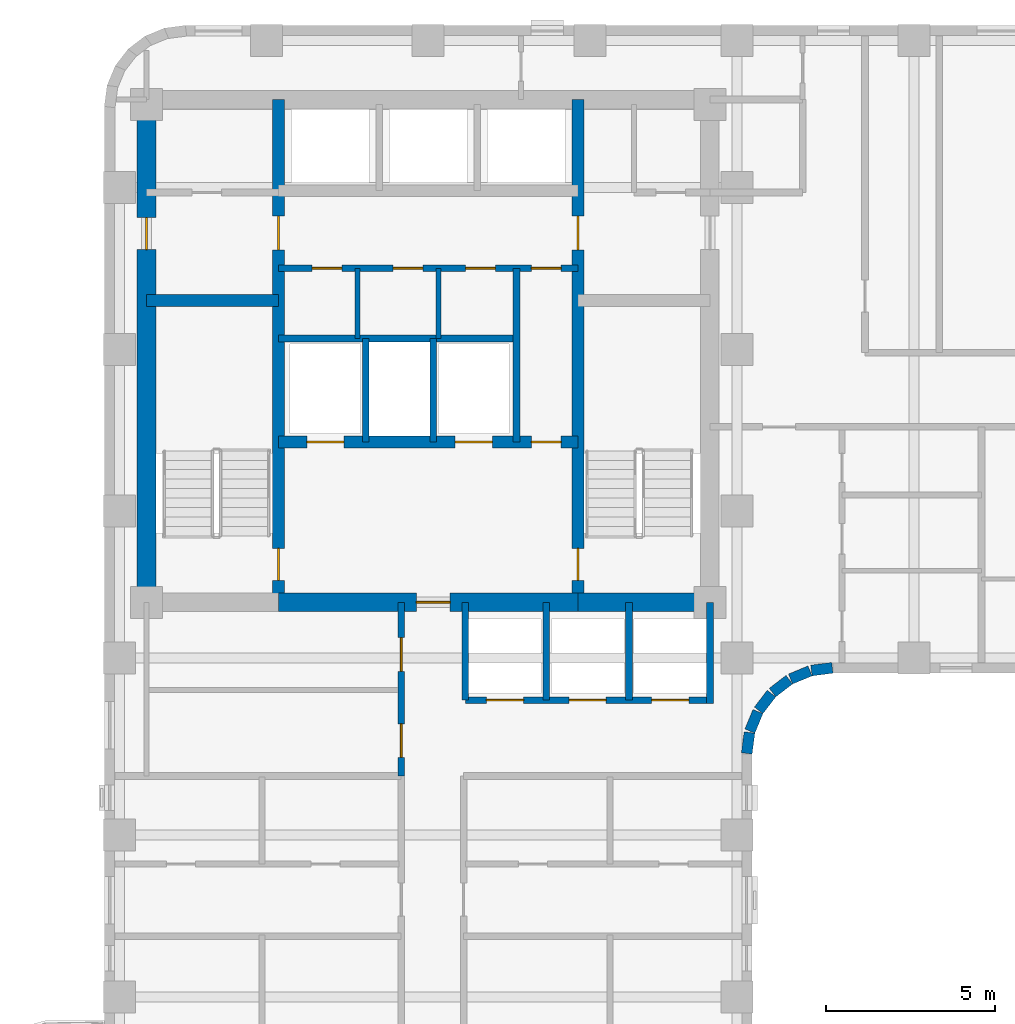
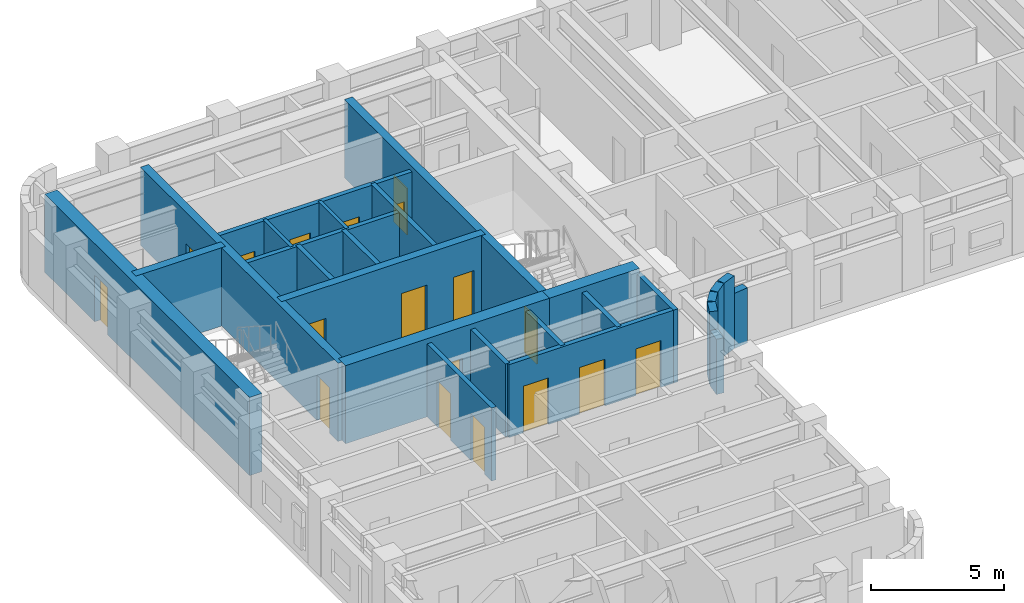
# One storey, part 4 of 10: 26 walls, 18 doors, 18 openings.
"""IFC4 building model written with IfcOpenShell, lengths in metres."""

from ifc_helpers import new_model, si_unit, direction, frame, frame_2d, origin, place, context, subcontext, project, spatial, rectangle, extrude, material, layer, layer_set, type_object, element, fill, save


model = new_model("IFC4")

# Units and contexts
model_context = context("Model", 3, precision=1e-05, world=origin(), true_north=direction((0.0, 1.0)))
body_context = subcontext(model_context, "Body", "Model", "MODEL_VIEW")
ifc_project = project(units=[si_unit("LENGTHUNIT", "METRE"), si_unit("AREAUNIT", "SQUARE_METRE"), si_unit("VOLUMEUNIT", "CUBIC_METRE"), si_unit("PLANEANGLEUNIT", "RADIAN"), si_unit("MASSUNIT", "GRAM", prefix="KILO")], contexts=[model_context])

# Site, building, storey
site_placement = place(None, origin())
site = spatial("IfcSite", under=ifc_project, at=site_placement, CompositionType="ELEMENT")
building_placement = place(site_placement, origin())
building = spatial("IfcBuilding", under=site, at=building_placement, Name="Orvandelia Arch Residences", CompositionType="ELEMENT")
storey_placement = place(building_placement, frame((0.0, 0.0, 114.39990234375)))
storey = spatial("IfcBuildingStorey", under=building, at=storey_placement, Name="L29", CompositionType="ELEMENT", Elevation=114.39990234375)

# Wall, openings, doors
ifc_material_1 = material(Name="Concrete C50/60", Category="concrete")
ifc_layer_1 = layer(ifc_material_1, 0.35009765625, Name="Concrete C50/60", Category="concrete")
ifc_layer_set_1 = layer_set([ifc_layer_1], Name="Concrete C50/60")
wall_type_1 = type_object("IfcWallType", Name="WL-CORE-350", PredefinedType="SHEAR", material=ifc_layer_set_1)
wall_1_placement = place(storey_placement, frame((9.9599609375, 30.89990234375, 0.0), z_axis=(0.0, 0.0, 1.0), x_axis=(0.0, 1.0, 0.0)))
wall_1 = element("IfcWall", 1, at=wall_1_placement, inside=storey, type_object=wall_type_1, Name="Core Shear Wall L29-WEB1", PredefinedType="SHEAR", context=body_context, shape_type="SweptSolid", body=[
    extrude(rectangle(XDim=14.900146484375, YDim=0.35009765625, at=frame_2d((7.4501953125, 0.0))), origin(), (0.0, 0.0, 1.0), 3.60009765625),
])
opening_1_placement = place(wall_1_placement, frame((0.64990234375, 0.0, 0.0)))
opening_1 = element("IfcOpeningElement", 2, at=opening_1_placement, cuts=wall_1, Name="Opening D7", PredefinedType="OPENING", context=body_context, shape_type="SweptSolid", body=[
    extrude(rectangle(XDim=0.949951171875, YDim=2.10009765625, at=frame_2d((0.47509765625, 1.050048828125))), frame((0.0, 0.18505859375, 0.0), z_axis=(0.0, -1.0, 0.0), x_axis=(1.0, 0.0, 0.0)), (0.0, 0.0, 1.0), 0.3701171875),
])
opening_2_placement = place(wall_1_placement, frame((10.449951171875, 0.0, 0.0)))
opening_2 = element("IfcOpeningElement", 3, at=opening_2_placement, cuts=wall_1, Name="Opening D6", PredefinedType="OPENING", context=body_context, shape_type="SweptSolid", body=[
    extrude(rectangle(XDim=1.0, YDim=2.14990234375, at=frame_2d((0.5, 1.074951171875))), frame((0.0, 0.18505859375, 0.0), z_axis=(0.0, -1.0, 0.0), x_axis=(1.0, 0.0, 0.0)), (0.0, 0.0, 1.0), 0.3701171875),
])
ifc_material_2 = material(Name="Smokeproof Painted Steel Fire Door", Category="steel")
door_type_1 = type_object("IfcDoorType", Name="DR-FD60-1000", OperationType="NOTDEFINED", PredefinedType="DOOR", material=ifc_material_2)
door_1_placement = place(opening_2_placement, origin())
door_1 = element("IfcDoor", 4, at=door_1_placement, inside=storey, type_object=door_type_1, Name="High-Rise Lift Hall West Vestibule Door L29", OperationType="SINGLE_SWING_LEFT", OverallHeight=2.14990234375, OverallWidth=1.0, PredefinedType="DOOR", context=body_context, shape_type="SweptSolid", body=[
    extrude(rectangle(XDim=1.0, YDim=2.14990234375, at=frame_2d((0.5, 1.074951171875))), frame((0.0, 0.02490234375, 0.0), z_axis=(0.0, -1.0, 0.0), x_axis=(1.0, 0.0, 0.0)), (0.0, 0.0, 1.0), 0.050048828125),
])
fill(opening_2, door_1)
ifc_material_3 = material(Name="Pressurised Stairwell Fire Door")
door_type_2 = type_object("IfcDoorType", Name="DR-STAIR-950", OperationType="NOTDEFINED", PredefinedType="DOOR", material=ifc_material_3)
door_2_placement = place(opening_1_placement, origin())
door_2 = element("IfcDoor", 5, at=door_2_placement, inside=storey, type_object=door_type_2, Name="Stairwell ST-1 Fire Door L29", OperationType="SINGLE_SWING_LEFT", OverallHeight=2.10009765625, OverallWidth=0.949951171875, PredefinedType="DOOR", context=body_context, shape_type="SweptSolid", body=[
    extrude(rectangle(XDim=0.949951171875, YDim=2.10009765625, at=frame_2d((0.47509765625, 1.050048828125))), frame((0.0, 0.02490234375, 0.0), z_axis=(0.0, -1.0, 0.0), x_axis=(1.0, 0.0, 0.0)), (0.0, 0.0, 1.0), 0.050048828125),
])
fill(opening_1, door_2)

wall_2_placement = place(storey_placement, frame((18.840087890625, 30.89990234375, 0.0), z_axis=(0.0, 0.0, 1.0), x_axis=(0.0, 1.0, 0.0)))
wall_2 = element("IfcWall", 6, at=wall_2_placement, inside=storey, type_object=wall_type_1, Name="Core Shear Wall L29-WEB2", PredefinedType="SHEAR", context=body_context, shape_type="SweptSolid", body=[
    extrude(rectangle(XDim=14.900146484375, YDim=0.35009765625, at=frame_2d((7.4501953125, 0.0))), origin(), (0.0, 0.0, 1.0), 3.60009765625),
])
opening_3_placement = place(wall_2_placement, frame((0.64990234375, 0.0, 0.0)))
opening_3 = element("IfcOpeningElement", 7, at=opening_3_placement, cuts=wall_2, Name="Opening D7", PredefinedType="OPENING", context=body_context, shape_type="SweptSolid", body=[
    extrude(rectangle(XDim=0.949951171875, YDim=2.10009765625, at=frame_2d((0.47509765625, 1.050048828125))), frame((0.0, 0.18505859375, 0.0), z_axis=(0.0, -1.0, 0.0), x_axis=(1.0, 0.0, 0.0)), (0.0, 0.0, 1.0), 0.3701171875),
])
opening_4_placement = place(wall_2_placement, frame((10.449951171875, 0.0, 0.0)))
opening_4 = element("IfcOpeningElement", 8, at=opening_4_placement, cuts=wall_2, Name="Opening D6", PredefinedType="OPENING", context=body_context, shape_type="SweptSolid", body=[
    extrude(rectangle(XDim=1.0, YDim=2.14990234375, at=frame_2d((0.5, 1.074951171875))), frame((0.0, 0.18505859375, 0.0), z_axis=(0.0, -1.0, 0.0), x_axis=(1.0, 0.0, 0.0)), (0.0, 0.0, 1.0), 0.3701171875),
])
door_3_placement = place(opening_4_placement, origin())
door_3 = element("IfcDoor", 9, at=door_3_placement, inside=storey, type_object=door_type_1, Name="High-Rise Lift Hall East Vestibule Door L29", OperationType="SINGLE_SWING_RIGHT", OverallHeight=2.14990234375, OverallWidth=1.0, PredefinedType="DOOR", context=body_context, shape_type="SweptSolid", body=[
    extrude(rectangle(XDim=1.0, YDim=2.14990234375, at=frame_2d((0.5, 1.074951171875))), frame((0.0, 0.02490234375, 0.0), z_axis=(0.0, -1.0, 0.0), x_axis=(1.0, 0.0, 0.0)), (0.0, 0.0, 1.0), 0.050048828125),
])
fill(opening_4, door_3)
door_4_placement = place(opening_3_placement, origin())
door_4 = element("IfcDoor", 10, at=door_4_placement, inside=storey, type_object=door_type_2, Name="Stairwell ST-2 Fire Door L29", OperationType="SINGLE_SWING_RIGHT", OverallHeight=2.10009765625, OverallWidth=0.949951171875, PredefinedType="DOOR", context=body_context, shape_type="SweptSolid", body=[
    extrude(rectangle(XDim=0.949951171875, YDim=2.10009765625, at=frame_2d((0.47509765625, 1.050048828125))), frame((0.0, 0.02490234375, 0.0), z_axis=(0.0, -1.0, 0.0), x_axis=(1.0, 0.0, 0.0)), (0.0, 0.0, 1.0), 0.050048828125),
])
fill(opening_3, door_4)

# Wall
wall_3_placement = place(storey_placement, frame((6.050048828125, 39.85009765625, 0.0), z_axis=(0.0, 0.0, 1.0), x_axis=(1.0, 0.0, 0.0)))
element("IfcWall", 11, at=wall_3_placement, inside=storey, type_object=wall_type_1, Name="Core Shear Wall L29-HZ1", PredefinedType="SHEAR", context=body_context, shape_type="SweptSolid", body=[
    extrude(rectangle(XDim=3.909912109375, YDim=0.35009765625, at=frame_2d((1.955078125, 0.0))), origin(), (0.0, 0.0, 1.0), 3.60009765625),
])

# Wall, openings, doors
wall_4_placement = place(storey_placement, frame((9.9599609375, 35.64990234375, 0.0), z_axis=(0.0, 0.0, 1.0), x_axis=(1.0, 0.0, 0.0)))
wall_4 = element("IfcWall", 12, at=wall_4_placement, inside=storey, type_object=wall_type_1, Name="Core Shear Wall L29-HZ3", PredefinedType="SHEAR", context=body_context, shape_type="SweptSolid", body=[
    extrude(rectangle(XDim=8.880126953125, YDim=0.35009765625, at=frame_2d((4.43994140625, 0.0))), origin(), (0.0, 0.0, 1.0), 3.60009765625),
])
opening_5_placement = place(wall_4_placement, frame((0.840087890625, 0.0, 0.0)))
opening_5 = element("IfcOpeningElement", 13, at=opening_5_placement, cuts=wall_4, Name="Opening FLD", PredefinedType="OPENING", context=body_context, shape_type="SweptSolid", body=[
    extrude(rectangle(XDim=1.10009765625, YDim=2.14990234375, at=frame_2d((0.550048828125, 1.074951171875))), frame((0.0, 0.18505859375, 0.0), z_axis=(0.0, -1.0, 0.0), x_axis=(1.0, 0.0, 0.0)), (0.0, 0.0, 1.0), 0.3701171875),
])
opening_6_placement = place(wall_4_placement, frame((5.239990234375, 0.0, 0.0)))
opening_6 = element("IfcOpeningElement", 14, at=opening_6_placement, cuts=wall_4, Name="Opening FLD", PredefinedType="OPENING", context=body_context, shape_type="SweptSolid", body=[
    extrude(rectangle(XDim=1.10009765625, YDim=2.14990234375, at=frame_2d((0.550048828125, 1.074951171875))), frame((0.0, 0.18505859375, 0.0), z_axis=(0.0, -1.0, 0.0), x_axis=(1.0, 0.0, 0.0)), (0.0, 0.0, 1.0), 0.3701171875),
])
opening_7_placement = place(wall_4_placement, frame((7.5, 0.0, 0.0)))
opening_7 = element("IfcOpeningElement", 15, at=opening_7_placement, cuts=wall_4, Name="Opening D5", PredefinedType="OPENING", context=body_context, shape_type="SweptSolid", body=[
    extrude(rectangle(XDim=0.8798828125, YDim=2.10009765625, at=frame_2d((0.43994140625, 1.050048828125))), frame((0.0, 0.18505859375, 0.0), z_axis=(0.0, -1.0, 0.0), x_axis=(1.0, 0.0, 0.0)), (0.0, 0.0, 1.0), 0.3701171875),
])
ifc_material_4 = material(Name="Firefighting Lift Stainless Sliding Door")
door_type_3 = type_object("IfcDoorType", Name="DR-FLFT-1100", OperationType="NOTDEFINED", PredefinedType="DOOR", material=ifc_material_4)
door_5_placement = place(opening_5_placement, origin())
door_5 = element("IfcDoor", 16, at=door_5_placement, inside=storey, type_object=door_type_3, Name="Firefighting Lift Landing Door FLD-FL1-L29", OperationType="SLIDING_TO_LEFT", OverallHeight=2.14990234375, OverallWidth=1.10009765625, PredefinedType="DOOR", context=body_context, shape_type="SweptSolid", body=[
    extrude(rectangle(XDim=1.10009765625, YDim=2.14990234375, at=frame_2d((0.550048828125, 1.074951171875))), frame((0.0, 0.02490234375, 0.0), z_axis=(0.0, -1.0, 0.0), x_axis=(1.0, 0.0, 0.0)), (0.0, 0.0, 1.0), 0.050048828125),
])
fill(opening_5, door_5)
door_6_placement = place(opening_6_placement, origin())
door_6 = element("IfcDoor", 17, at=door_6_placement, inside=storey, type_object=door_type_3, Name="Firefighting Lift Landing Door FLD-FL2-L29", OperationType="SLIDING_TO_RIGHT", OverallHeight=2.14990234375, OverallWidth=1.10009765625, PredefinedType="DOOR", context=body_context, shape_type="SweptSolid", body=[
    extrude(rectangle(XDim=1.10009765625, YDim=2.14990234375, at=frame_2d((0.550048828125, 1.074951171875))), frame((0.0, 0.02490234375, 0.0), z_axis=(0.0, -1.0, 0.0), x_axis=(1.0, 0.0, 0.0)), (0.0, 0.0, 1.0), 0.050048828125),
])
fill(opening_6, door_6)
ifc_material_5 = material(Name="Painted Galvanised Steel Service Door", Category="steel")
door_type_4 = type_object("IfcDoorType", Name="DR-SRV-880", OperationType="NOTDEFINED", PredefinedType="DOOR", material=ifc_material_5)
door_7_placement = place(opening_7_placement, origin())
door_7 = element("IfcDoor", 18, at=door_7_placement, inside=storey, type_object=door_type_4, Name="Core Stairway Passage South Fire Door L29", OperationType="SINGLE_SWING_LEFT", OverallHeight=2.10009765625, OverallWidth=0.8798828125, PredefinedType="DOOR", context=body_context, shape_type="SweptSolid", body=[
    extrude(rectangle(XDim=0.8798828125, YDim=2.10009765625, at=frame_2d((0.43994140625, 1.050048828125))), frame((0.0, 0.02490234375, 0.0), z_axis=(0.0, -1.0, 0.0), x_axis=(1.0, 0.0, 0.0)), (0.0, 0.0, 1.0), 0.050048828125),
])
fill(opening_7, door_7)

# Wall, opening, door
ifc_material_6 = material(Name="Concrete C60/75", Category="concrete")
ifc_layer_2 = layer(ifc_material_6, 0.550048828125, Name="Concrete C60/75", Category="concrete")
ifc_layer_set_2 = layer_set([ifc_layer_2], Name="Concrete C60/75")
wall_type_2 = type_object("IfcWallType", Name="WL-CORE-550", PredefinedType="SHEAR", material=ifc_layer_set_2)
wall_5_placement = place(storey_placement, frame((6.050048828125, 30.625, 0.0), z_axis=(0.0, 0.0, 1.0), x_axis=(0.0, 1.0, 0.0)))
wall_5 = element("IfcWall", 19, at=wall_5_placement, inside=storey, type_object=wall_type_2, Name="Core Shear Wall L29-W", PredefinedType="SHEAR", context=body_context, shape_type="SweptSolid", body=[
    extrude(rectangle(XDim=15.449951171875, YDim=0.550048828125, at=frame_2d((7.72509765625, 0.0))), origin(), (0.0, 0.0, 1.0), 3.60009765625),
])
opening_8_placement = place(wall_5_placement, frame((10.72509765625, 0.0, 0.0)))
opening_8 = element("IfcOpeningElement", 20, at=opening_8_placement, cuts=wall_5, Name="Opening D2", PredefinedType="OPENING", context=body_context, shape_type="SweptSolid", body=[
    extrude(rectangle(XDim=0.949951171875, YDim=2.14990234375, at=frame_2d((0.47509765625, 1.074951171875))), frame((0.0, 0.28515625, 0.0), z_axis=(0.0, -1.0, 0.0), x_axis=(1.0, 0.0, 0.0)), (0.0, 0.0, 1.0), 0.570068359375),
])
ifc_material_7 = material(Name="Solid-Core Timber Interior Fire Door", Category="wood")
door_type_5 = type_object("IfcDoorType", Name="DR-APT-950", OperationType="NOTDEFINED", PredefinedType="DOOR", material=ifc_material_7)
door_8_placement = place(opening_8_placement, origin())
door_8 = element("IfcDoor", 21, at=door_8_placement, inside=storey, type_object=door_type_5, Name="West Viewing Study Door L29", OperationType="SINGLE_SWING_RIGHT", OverallHeight=2.14990234375, OverallWidth=0.949951171875, PredefinedType="DOOR", context=body_context, shape_type="SweptSolid", body=[
    extrude(rectangle(XDim=0.949951171875, YDim=2.14990234375, at=frame_2d((0.47509765625, 1.074951171875))), frame((0.0, 0.02490234375, 0.0), z_axis=(0.0, -1.0, 0.0), x_axis=(1.0, 0.0, 0.0)), (0.0, 0.0, 1.0), 0.050048828125),
])
fill(opening_8, door_8)

wall_6_placement = place(storey_placement, frame((9.9599609375, 30.89990234375, 0.0), z_axis=(0.0, 0.0, 1.0), x_axis=(1.0, 0.0, 0.0)))
wall_6 = element("IfcWall", 22, at=wall_6_placement, inside=storey, type_object=wall_type_2, Name="Core Shear Wall L29-SM", PredefinedType="SHEAR", context=body_context, shape_type="SweptSolid", body=[
    extrude(rectangle(XDim=8.880126953125, YDim=0.550048828125, at=frame_2d((4.43994140625, 0.0))), origin(), (0.0, 0.0, 1.0), 3.60009765625),
])
opening_9_placement = place(wall_6_placement, frame((4.090087890625, 0.0, 0.0)))
opening_9 = element("IfcOpeningElement", 23, at=opening_9_placement, cuts=wall_6, Name="Opening D6", PredefinedType="OPENING", context=body_context, shape_type="SweptSolid", body=[
    extrude(rectangle(XDim=1.0, YDim=2.14990234375, at=frame_2d((0.5, 1.074951171875))), frame((0.0, 0.28515625, 0.0), z_axis=(0.0, -1.0, 0.0), x_axis=(1.0, 0.0, 0.0)), (0.0, 0.0, 1.0), 0.570068359375),
])
door_9_placement = place(opening_9_placement, origin())
door_9 = element("IfcDoor", 24, at=door_9_placement, inside=storey, type_object=door_type_1, Name="Firefighting Lobby Smokeproof Door L29", OperationType="SINGLE_SWING_LEFT", OverallHeight=2.14990234375, OverallWidth=1.0, PredefinedType="DOOR", context=body_context, shape_type="SweptSolid", body=[
    extrude(rectangle(XDim=1.0, YDim=2.14990234375, at=frame_2d((0.5, 1.074951171875))), frame((0.0, 0.02490234375, 0.0), z_axis=(0.0, -1.0, 0.0), x_axis=(1.0, 0.0, 0.0)), (0.0, 0.0, 1.0), 0.050048828125),
])
fill(opening_9, door_9)

# Walls
wall_7_placement = place(storey_placement, frame((18.840087890625, 30.89990234375, 0.0), z_axis=(0.0, 0.0, 1.0), x_axis=(1.0, 0.0, 0.0)))
element("IfcWall", 25, at=wall_7_placement, inside=storey, type_object=wall_type_2, Name="Core Shear Wall L29-SE", PredefinedType="SHEAR", context=body_context, shape_type="SweptSolid", body=[
    extrude(rectangle(XDim=3.909912109375, YDim=0.550048828125, at=frame_2d((1.955078125, 0.0))), origin(), (0.0, 0.0, 1.0), 3.60009765625),
])
ifc_material_8 = material(Name="Precast concrete C40/50", Category="concrete")
ifc_layer_3 = layer(ifc_material_8, 0.320068359375, Name="Precast concrete C40/50", Category="concrete")
ifc_layer_set_3 = layer_set([ifc_layer_3], Name="Precast concrete C40/50")
wall_type_3 = type_object("IfcWallType", Name="WL-EXT-STONE-320", PredefinedType="STANDARD", material=ifc_layer_set_3)
wall_8_placement = place(storey_placement, frame((26.379150390625, 28.95849609375, 0.0), z_axis=(0.0, 0.0, 1.0), x_axis=(-0.991447664465, -0.130504898859, 0.0)))
element("IfcWall", 26, at=wall_8_placement, inside=storey, type_object=wall_type_3, Name="Coral-Limestone Precast Facade Wall L29-022", PredefinedType="STANDARD", context=body_context, shape_type="SweptSolid", body=[
    extrude(rectangle(XDim=0.626708984375, YDim=0.320068359375, at=frame_2d((0.3134765625, 0.0))), origin(), (0.0, 0.0, 1.0), 2.5400390625),
])
wall_9_placement = place(storey_placement, frame((25.717529296875, 28.865966796875, 0.0), z_axis=(0.0, 0.0, 1.0), x_axis=(-0.923836271867, -0.382787856107, 0.0)))
element("IfcWall", 27, at=wall_9_placement, inside=storey, type_object=wall_type_3, Name="Coral-Limestone Precast Facade Wall L29-023", PredefinedType="STANDARD", context=body_context, shape_type="SweptSolid", body=[
    extrude(rectangle(XDim=0.626220703125, YDim=0.320068359375, at=frame_2d((0.31298828125, 0.0))), origin(), (0.0, 0.0, 1.0), 3.360107421875),
])
for number, where, z_axis, x_axis, name in (
    (28, (25.1025390625, 28.60546875, 0.0), (0.0, 0.0, 1.0), (-0.793405610854, -0.608693302629, 0.0), "Coral-Limestone Precast Facade Wall L29-024"),
    (29, (24.575927734375, 28.194580078125, 0.0), (0.0, 0.0, 1.0), (-0.608693302629, -0.793405610854, 0.0), "Coral-Limestone Precast Facade Wall L29-025"),
):
    element("IfcWall", number, at=place(storey_placement, frame(where, z_axis=z_axis, x_axis=x_axis)), inside=storey, type_object=wall_type_3, Name=name, PredefinedType="STANDARD", context=body_context, shape_type="SweptSolid", body=[
        extrude(rectangle(XDim=0.62646484375, YDim=0.320068359375, at=frame_2d((0.313232421875, 0.0))), origin(), (0.0, 0.0, 1.0), 3.360107421875),
    ])
wall_10_placement = place(storey_placement, frame((24.173583984375, 27.6611328125, 0.0), z_axis=(0.0, 0.0, 1.0), x_axis=(-0.382455093999, -0.923974080304, 0.0)))
element("IfcWall", 30, at=wall_10_placement, inside=storey, type_object=wall_type_3, Name="Coral-Limestone Precast Facade Wall L29-026", PredefinedType="STANDARD", context=body_context, shape_type="SweptSolid", body=[
    extrude(rectangle(XDim=0.626220703125, YDim=0.320068359375, at=frame_2d((0.31298828125, 0.0))), origin(), (0.0, 0.0, 1.0), 3.360107421875),
])
wall_11_placement = place(storey_placement, frame((23.923095703125, 27.0419921875, 0.0), z_axis=(0.0, 0.0, 1.0), x_axis=(-0.130555323746, -0.9914410257, 0.0)))
element("IfcWall", 31, at=wall_11_placement, inside=storey, type_object=wall_type_3, Name="Coral-Limestone Precast Facade Wall L29-027", PredefinedType="STANDARD", context=body_context, shape_type="SweptSolid", body=[
    extrude(rectangle(XDim=0.62646484375, YDim=0.320068359375, at=frame_2d((0.313232421875, 0.0))), origin(), (0.0, 0.0, 1.0), 2.5400390625),
])
ifc_material_9 = material(Name="Acoustic Gypsum Stud Partition")
ifc_layer_4 = layer(ifc_material_9, 0.14990234375, Name="Acoustic Gypsum Stud Partition")
ifc_layer_set_4 = layer_set([ifc_layer_4], Name="Acoustic Gypsum Stud Partition")
wall_type_4 = type_object("IfcWallType", Name="WL-PART-150", PredefinedType="PARTITIONING", material=ifc_layer_set_4)
for number, where, z_axis, x_axis, name in (
    (32, (12.300048828125, 38.719970703125, 0.0), (0.0, 0.0, 1.0), (0.0, 1.0, 0.0), "Interior Partition Wall WL-L29-CSA-1"),
    (33, (14.699951171875, 38.719970703125, 0.0), (0.0, 0.0, 1.0), (0.0, 1.0, 0.0), "Interior Partition Wall WL-L29-CSA-2"),
):
    element("IfcWall", number, at=place(storey_placement, frame(where, z_axis=z_axis, x_axis=x_axis)), inside=storey, type_object=wall_type_4, Name=name, PredefinedType="PARTITIONING", context=body_context, shape_type="SweptSolid", body=[
        extrude(rectangle(XDim=2.080078125, YDim=0.14990234375, at=frame_2d((1.0400390625, 0.0))), origin(), (0.0, 0.0, 1.0), 3.360107421875),
    ])
ifc_material_10 = material(Name="Fire-Rated Shaft Enclosure Wall")
ifc_layer_5 = layer(ifc_material_10, 0.199951171875, Name="Fire-Rated Shaft Enclosure Wall")
ifc_layer_set_5 = layer_set([ifc_layer_5], Name="Fire-Rated Shaft Enclosure Wall")
wall_type_5 = type_object("IfcWallType", Name="WL-SHAFT-200", PredefinedType="POLYGONAL", material=ifc_layer_set_5)
wall_12_placement = place(storey_placement, frame((9.9599609375, 38.719970703125, 0.0), z_axis=(0.0, 0.0, 1.0), x_axis=(1.0, 0.0, 0.0)))
element("IfcWall", 34, at=wall_12_placement, inside=storey, type_object=wall_type_5, Name="Interior Partition Wall WL-L29-FLN", PredefinedType="POLYGONAL", context=body_context, shape_type="SweptSolid", body=[
    extrude(rectangle(XDim=7.06005859375, YDim=0.199951171875, at=frame_2d((3.530029296875, 0.0))), origin(), (0.0, 0.0, 1.0), 3.360107421875),
])
for number, where, z_axis, x_axis, name in (
    (35, (12.550048828125, 35.64990234375, 0.0), (0.0, 0.0, 1.0), (0.0, 1.0, 0.0), "Interior Partition Wall WL-L29-FLM1"),
    (36, (14.550048828125, 35.64990234375, 0.0), (0.0, 0.0, 1.0), (0.0, 1.0, 0.0), "Interior Partition Wall WL-L29-FLM2"),
):
    element("IfcWall", number, at=place(storey_placement, frame(where, z_axis=z_axis, x_axis=x_axis)), inside=storey, type_object=wall_type_5, Name=name, PredefinedType="POLYGONAL", context=body_context, shape_type="SweptSolid", body=[
        extrude(rectangle(XDim=3.070068359375, YDim=0.199951171875, at=frame_2d((1.53515625, 0.0))), origin(), (0.0, 0.0, 1.0), 3.360107421875),
    ])
wall_13_placement = place(storey_placement, frame((17.02001953125, 35.64990234375, 0.0), z_axis=(0.0, 0.0, 1.0), x_axis=(0.0, 1.0, 0.0)))
element("IfcWall", 37, at=wall_13_placement, inside=storey, type_object=wall_type_5, Name="Interior Partition Wall WL-L29-FLM3", PredefinedType="POLYGONAL", context=body_context, shape_type="SweptSolid", body=[
    extrude(rectangle(XDim=5.150146484375, YDim=0.199951171875, at=frame_2d((2.5751953125, 0.0))), origin(), (0.0, 0.0, 1.0), 3.360107421875),
])

# Wall, openings, doors
wall_14_placement = place(storey_placement, frame((9.9599609375, 40.800048828125, 0.0), z_axis=(0.0, 0.0, 1.0), x_axis=(1.0, 0.0, 0.0)))
wall_14 = element("IfcWall", 38, at=wall_14_placement, inside=storey, type_object=wall_type_5, Name="Interior Partition Wall WL-L29-HLH-S", PredefinedType="POLYGONAL", context=body_context, shape_type="SweptSolid", body=[
    extrude(rectangle(XDim=8.880126953125, YDim=0.199951171875, at=frame_2d((4.43994140625, 0.0))), origin(), (0.0, 0.0, 1.0), 3.360107421875),
])
opening_10_placement = place(wall_14_placement, frame((7.5, 0.0, 0.0)))
opening_10 = element("IfcOpeningElement", 39, at=opening_10_placement, cuts=wall_14, Name="Opening D5", PredefinedType="OPENING", context=body_context, shape_type="SweptSolid", body=[
    extrude(rectangle(XDim=0.8798828125, YDim=2.10009765625, at=frame_2d((0.43994140625, 1.050048828125))), frame((0.0, 0.10986328125, 0.0), z_axis=(0.0, -1.0, 0.0), x_axis=(1.0, 0.0, 0.0)), (0.0, 0.0, 1.0), 0.219970703125),
])
opening_11_placement = place(wall_14_placement, frame((1.0, 0.0, 0.0)))
opening_11 = element("IfcOpeningElement", 40, at=opening_11_placement, cuts=wall_14, Name="Opening D5", PredefinedType="OPENING", context=body_context, shape_type="SweptSolid", body=[
    extrude(rectangle(XDim=0.8798828125, YDim=2.10009765625, at=frame_2d((0.43994140625, 1.050048828125))), frame((0.0, 0.10986328125, 0.0), z_axis=(0.0, -1.0, 0.0), x_axis=(1.0, 0.0, 0.0)), (0.0, 0.0, 1.0), 0.219970703125),
])
opening_12_placement = place(wall_14_placement, frame((3.39990234375, 0.0, 0.0)))
opening_12 = element("IfcOpeningElement", 41, at=opening_12_placement, cuts=wall_14, Name="Opening D5", PredefinedType="OPENING", context=body_context, shape_type="SweptSolid", body=[
    extrude(rectangle(XDim=0.8798828125, YDim=2.10009765625, at=frame_2d((0.43994140625, 1.050048828125))), frame((0.0, 0.10986328125, 0.0), z_axis=(0.0, -1.0, 0.0), x_axis=(1.0, 0.0, 0.0)), (0.0, 0.0, 1.0), 0.219970703125),
])
opening_13_placement = place(wall_14_placement, frame((5.550048828125, 0.0, 0.0)))
opening_13 = element("IfcOpeningElement", 42, at=opening_13_placement, cuts=wall_14, Name="Opening D5", PredefinedType="OPENING", context=body_context, shape_type="SweptSolid", body=[
    extrude(rectangle(XDim=0.8798828125, YDim=2.10009765625, at=frame_2d((0.43994140625, 1.050048828125))), frame((0.0, 0.10986328125, 0.0), z_axis=(0.0, -1.0, 0.0), x_axis=(1.0, 0.0, 0.0)), (0.0, 0.0, 1.0), 0.219970703125),
])
door_10_placement = place(opening_10_placement, origin())
door_10 = element("IfcDoor", 43, at=door_10_placement, inside=storey, type_object=door_type_4, Name="Core Stairway Passage North Fire Door L29", OperationType="SINGLE_SWING_RIGHT", OverallHeight=2.10009765625, OverallWidth=0.8798828125, PredefinedType="DOOR", context=body_context, shape_type="SweptSolid", body=[
    extrude(rectangle(XDim=0.8798828125, YDim=2.10009765625, at=frame_2d((0.43994140625, 1.050048828125))), frame((0.0, 0.02490234375, 0.0), z_axis=(0.0, -1.0, 0.0), x_axis=(1.0, 0.0, 0.0)), (0.0, 0.0, 1.0), 0.050048828125),
])
fill(opening_10, door_10)
door_11_placement = place(opening_11_placement, origin())
door_11 = element("IfcDoor", 44, at=door_11_placement, inside=storey, type_object=door_type_4, Name="DR-L29-CSA1", OperationType="SINGLE_SWING_LEFT", OverallHeight=2.10009765625, OverallWidth=0.8798828125, PredefinedType="DOOR", context=body_context, shape_type="SweptSolid", body=[
    extrude(rectangle(XDim=0.8798828125, YDim=2.10009765625, at=frame_2d((0.43994140625, 1.050048828125))), frame((0.0, 0.02490234375, 0.0), z_axis=(0.0, -1.0, 0.0), x_axis=(1.0, 0.0, 0.0)), (0.0, 0.0, 1.0), 0.050048828125),
])
fill(opening_11, door_11)
door_12_placement = place(opening_12_placement, origin())
door_12 = element("IfcDoor", 45, at=door_12_placement, inside=storey, type_object=door_type_4, Name="DR-L29-CSA2", OperationType="SINGLE_SWING_RIGHT", OverallHeight=2.10009765625, OverallWidth=0.8798828125, PredefinedType="DOOR", context=body_context, shape_type="SweptSolid", body=[
    extrude(rectangle(XDim=0.8798828125, YDim=2.10009765625, at=frame_2d((0.43994140625, 1.050048828125))), frame((0.0, 0.02490234375, 0.0), z_axis=(0.0, -1.0, 0.0), x_axis=(1.0, 0.0, 0.0)), (0.0, 0.0, 1.0), 0.050048828125),
])
fill(opening_12, door_12)
door_13_placement = place(opening_13_placement, origin())
door_13 = element("IfcDoor", 46, at=door_13_placement, inside=storey, type_object=door_type_4, Name="DR-L29-CSA3", OperationType="SINGLE_SWING_LEFT", OverallHeight=2.10009765625, OverallWidth=0.8798828125, PredefinedType="DOOR", context=body_context, shape_type="SweptSolid", body=[
    extrude(rectangle(XDim=0.8798828125, YDim=2.10009765625, at=frame_2d((0.43994140625, 1.050048828125))), frame((0.0, 0.02490234375, 0.0), z_axis=(0.0, -1.0, 0.0), x_axis=(1.0, 0.0, 0.0)), (0.0, 0.0, 1.0), 0.050048828125),
])
fill(opening_13, door_13)

wall_15_placement = place(storey_placement, frame((13.60009765625, 25.75, 0.0), z_axis=(0.0, 0.0, 1.0), x_axis=(0.0, 1.0, 0.0)))
wall_15 = element("IfcWall", 47, at=wall_15_placement, inside=storey, type_object=wall_type_5, Name="Interior Partition Wall WL-L29-B1REUSE-E", PredefinedType="POLYGONAL", context=body_context, shape_type="SweptSolid", body=[
    extrude(rectangle(XDim=5.14990234375, YDim=0.199951171875, at=frame_2d((2.574951171875, 0.0))), origin(), (0.0, 0.0, 1.0), 3.360107421875),
])
opening_14_placement = place(wall_15_placement, frame((0.550048828125, 0.0, 0.0)))
opening_14 = element("IfcOpeningElement", 48, at=opening_14_placement, cuts=wall_15, Name="Opening D6", PredefinedType="OPENING", context=body_context, shape_type="SweptSolid", body=[
    extrude(rectangle(XDim=1.0, YDim=2.14990234375, at=frame_2d((0.5, 1.074951171875))), frame((0.0, 0.10986328125, 0.0), z_axis=(0.0, -1.0, 0.0), x_axis=(1.0, 0.0, 0.0)), (0.0, 0.0, 1.0), 0.219970703125),
])
opening_15_placement = place(wall_15_placement, frame((3.10009765625, 0.0, 0.0)))
opening_15 = element("IfcOpeningElement", 49, at=opening_15_placement, cuts=wall_15, Name="Opening D6", PredefinedType="OPENING", context=body_context, shape_type="SweptSolid", body=[
    extrude(rectangle(XDim=1.0, YDim=2.14990234375, at=frame_2d((0.5, 1.074951171875))), frame((0.0, 0.10986328125, 0.0), z_axis=(0.0, -1.0, 0.0), x_axis=(1.0, 0.0, 0.0)), (0.0, 0.0, 1.0), 0.219970703125),
])
door_14_placement = place(opening_14_placement, origin())
door_14 = element("IfcDoor", 50, at=door_14_placement, inside=storey, type_object=door_type_1, Name="DR-L29-B1RS", OperationType="SINGLE_SWING_LEFT", OverallHeight=2.14990234375, OverallWidth=1.0, PredefinedType="DOOR", context=body_context, shape_type="SweptSolid", body=[
    extrude(rectangle(XDim=1.0, YDim=2.14990234375, at=frame_2d((0.5, 1.074951171875))), frame((0.0, 0.02490234375, 0.0), z_axis=(0.0, -1.0, 0.0), x_axis=(1.0, 0.0, 0.0)), (0.0, 0.0, 1.0), 0.050048828125),
])
fill(opening_14, door_14)
door_15_placement = place(opening_15_placement, origin())
door_15 = element("IfcDoor", 51, at=door_15_placement, inside=storey, type_object=door_type_1, Name="DR-L29-B1RN", OperationType="SINGLE_SWING_RIGHT", OverallHeight=2.14990234375, OverallWidth=1.0, PredefinedType="DOOR", context=body_context, shape_type="SweptSolid", body=[
    extrude(rectangle(XDim=1.0, YDim=2.14990234375, at=frame_2d((0.5, 1.074951171875))), frame((0.0, 0.02490234375, 0.0), z_axis=(0.0, -1.0, 0.0), x_axis=(1.0, 0.0, 0.0)), (0.0, 0.0, 1.0), 0.050048828125),
])
fill(opening_15, door_15)

wall_16_placement = place(storey_placement, frame((15.5, 28.0, 0.0), z_axis=(0.0, 0.0, 1.0), x_axis=(1.0, 0.0, 0.0)))
wall_16 = element("IfcWall", 52, at=wall_16_placement, inside=storey, type_object=wall_type_5, Name="Interior Partition Wall WL-L29-BNKM-S", PredefinedType="POLYGONAL", context=body_context, shape_type="SweptSolid", body=[
    extrude(rectangle(XDim=7.25, YDim=0.199951171875, at=frame_2d((3.625, 0.0))), origin(), (0.0, 0.0, 1.0), 3.360107421875),
])
opening_16_placement = place(wall_16_placement, frame((0.625, 0.0, 0.0)))
opening_16 = element("IfcOpeningElement", 53, at=opening_16_placement, cuts=wall_16, Name="Opening LD", PredefinedType="OPENING", context=body_context, shape_type="SweptSolid", body=[
    extrude(rectangle(XDim=1.10009765625, YDim=2.14990234375, at=frame_2d((0.550048828125, 1.074951171875))), frame((0.0, 0.10986328125, 0.0), z_axis=(0.0, -1.0, 0.0), x_axis=(1.0, 0.0, 0.0)), (0.0, 0.0, 1.0), 0.219970703125),
])
opening_17_placement = place(wall_16_placement, frame((3.074951171875, 0.0, 0.0)))
opening_17 = element("IfcOpeningElement", 54, at=opening_17_placement, cuts=wall_16, Name="Opening LD", PredefinedType="OPENING", context=body_context, shape_type="SweptSolid", body=[
    extrude(rectangle(XDim=1.10009765625, YDim=2.14990234375, at=frame_2d((0.550048828125, 1.074951171875))), frame((0.0, 0.10986328125, 0.0), z_axis=(0.0, -1.0, 0.0), x_axis=(1.0, 0.0, 0.0)), (0.0, 0.0, 1.0), 0.219970703125),
])
opening_18_placement = place(wall_16_placement, frame((5.52490234375, 0.0, 0.0)))
opening_18 = element("IfcOpeningElement", 55, at=opening_18_placement, cuts=wall_16, Name="Opening LD", PredefinedType="OPENING", context=body_context, shape_type="SweptSolid", body=[
    extrude(rectangle(XDim=1.10009765625, YDim=2.14990234375, at=frame_2d((0.550048828125, 1.074951171875))), frame((0.0, 0.10986328125, 0.0), z_axis=(0.0, -1.0, 0.0), x_axis=(1.0, 0.0, 0.0)), (0.0, 0.0, 1.0), 0.219970703125),
])
ifc_material_11 = material(Name="Brushed Stainless Steel Sliding Lift Door", Category="steel")
door_type_6 = type_object("IfcDoorType", Name="DR-LIFT-1100", OperationType="NOTDEFINED", PredefinedType="DOOR", material=ifc_material_11)
door_16_placement = place(opening_16_placement, origin())
door_16 = element("IfcDoor", 56, at=door_16_placement, inside=storey, type_object=door_type_6, Name="Lift Landing Door LD-PM1", OperationType="SLIDING_TO_LEFT", OverallHeight=2.14990234375, OverallWidth=1.10009765625, PredefinedType="DOOR", context=body_context, shape_type="SweptSolid", body=[
    extrude(rectangle(XDim=1.10009765625, YDim=2.14990234375, at=frame_2d((0.550048828125, 1.074951171875))), frame((0.0, 0.02490234375, 0.0), z_axis=(0.0, -1.0, 0.0), x_axis=(1.0, 0.0, 0.0)), (0.0, 0.0, 1.0), 0.050048828125),
])
fill(opening_16, door_16)
door_17_placement = place(opening_17_placement, origin())
door_17 = element("IfcDoor", 57, at=door_17_placement, inside=storey, type_object=door_type_6, Name="Lift Landing Door LD-PM2", OperationType="SLIDING_TO_RIGHT", OverallHeight=2.14990234375, OverallWidth=1.10009765625, PredefinedType="DOOR", context=body_context, shape_type="SweptSolid", body=[
    extrude(rectangle(XDim=1.10009765625, YDim=2.14990234375, at=frame_2d((0.550048828125, 1.074951171875))), frame((0.0, 0.02490234375, 0.0), z_axis=(0.0, -1.0, 0.0), x_axis=(1.0, 0.0, 0.0)), (0.0, 0.0, 1.0), 0.050048828125),
])
fill(opening_17, door_17)
door_18_placement = place(opening_18_placement, origin())
door_18 = element("IfcDoor", 58, at=door_18_placement, inside=storey, type_object=door_type_6, Name="Lift Landing Door LD-PM3", OperationType="SLIDING_TO_LEFT", OverallHeight=2.14990234375, OverallWidth=1.10009765625, PredefinedType="DOOR", context=body_context, shape_type="SweptSolid", body=[
    extrude(rectangle(XDim=1.10009765625, YDim=2.14990234375, at=frame_2d((0.550048828125, 1.074951171875))), frame((0.0, 0.02490234375, 0.0), z_axis=(0.0, -1.0, 0.0), x_axis=(1.0, 0.0, 0.0)), (0.0, 0.0, 1.0), 0.050048828125),
])
fill(opening_18, door_18)

# Walls
wall_17_placement = place(storey_placement, frame((15.5, 28.0, 0.0), z_axis=(0.0, 0.0, 1.0), x_axis=(0.0, 1.0, 0.0)))
element("IfcWall", 59, at=wall_17_placement, inside=storey, type_object=wall_type_5, Name="Interior Partition Wall WL-L29-BNKM-W", PredefinedType="POLYGONAL", context=body_context, shape_type="SweptSolid", body=[
    extrude(rectangle(XDim=2.89990234375, YDim=0.199951171875, at=frame_2d((1.449951171875, 0.0))), origin(), (0.0, 0.0, 1.0), 3.360107421875),
])
wall_18_placement = place(storey_placement, frame((22.75, 27.89990234375, 0.0), z_axis=(0.0, 0.0, 1.0), x_axis=(0.0, 1.0, 0.0)))
element("IfcWall", 60, at=wall_18_placement, inside=storey, type_object=wall_type_5, Name="Interior Partition Wall WL-L29-BNKM-E", PredefinedType="POLYGONAL", context=body_context, shape_type="SweptSolid", body=[
    extrude(rectangle(XDim=3.0, YDim=0.199951171875, at=frame_2d((1.5, 0.0))), origin(), (0.0, 0.0, 1.0), 3.360107421875),
])
for number, where, z_axis, x_axis, name in (
    (61, (17.89990234375, 28.0, 0.0), (0.0, 0.0, 1.0), (0.0, 1.0, 0.0), "Interior Partition Wall WL-L29-BNKMD-1789"),
    (62, (20.35009765625, 28.0, 0.0), (0.0, 0.0, 1.0), (0.0, 1.0, 0.0), "Interior Partition Wall WL-L29-BNKMD-2035"),
):
    element("IfcWall", number, at=place(storey_placement, frame(where, z_axis=z_axis, x_axis=x_axis)), inside=storey, type_object=wall_type_5, Name=name, PredefinedType="POLYGONAL", context=body_context, shape_type="SweptSolid", body=[
        extrude(rectangle(XDim=2.89990234375, YDim=0.199951171875, at=frame_2d((1.449951171875, 0.0))), origin(), (0.0, 0.0, 1.0), 3.360107421875),
    ])

save(model, "model.ifc")
